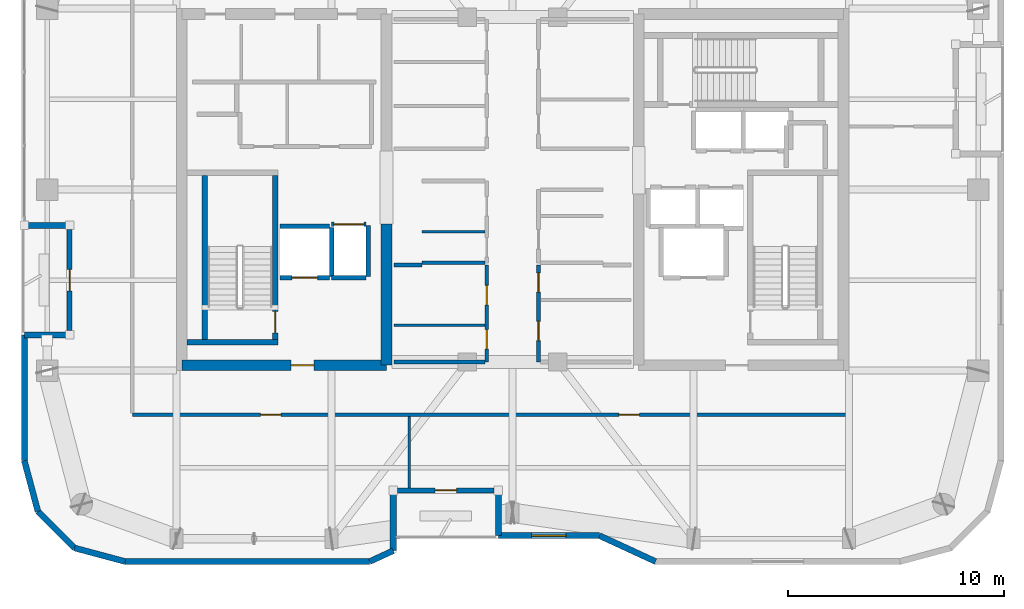
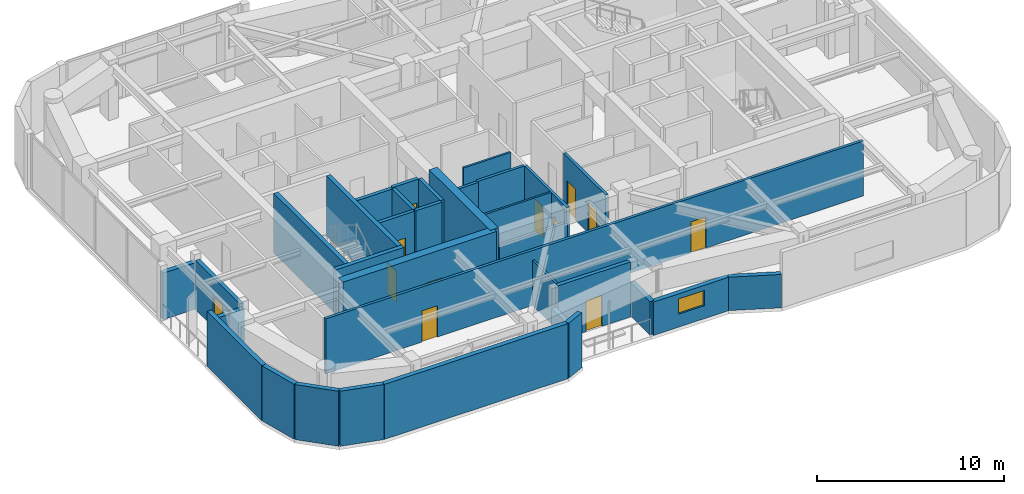
# One storey, part 10 of 15: 34 walls, 12 doors, 1 window, 13 openings.
"""IFC4 building model written with IfcOpenShell, lengths in metres."""

from ifc_helpers import new_model, si_unit, direction, frame, frame_2d, origin, place, context, subcontext, project, spatial, rectangle, extrude, material, layer, layer_set, type_object, element, fill, save


model = new_model("IFC4")

# Units and contexts
model_context = context("Model", 3, precision=1e-05, world=origin(), true_north=direction((0.0, 1.0)))
body_context = subcontext(model_context, "Body", "Model", "MODEL_VIEW")
ifc_project = project(units=[si_unit("LENGTHUNIT", "METRE"), si_unit("AREAUNIT", "SQUARE_METRE"), si_unit("VOLUMEUNIT", "CUBIC_METRE"), si_unit("PLANEANGLEUNIT", "RADIAN"), si_unit("MASSUNIT", "GRAM", prefix="KILO")], contexts=[model_context])

# Site, building, storey
site_placement = place(None, origin())
site = spatial("IfcSite", under=ifc_project, at=site_placement, CompositionType="ELEMENT")
building_placement = place(site_placement, origin())
building = spatial("IfcBuilding", under=site, at=building_placement, Name="Kiyonajd Concourse Tower", CompositionType="ELEMENT")
storey_placement = place(building_placement, frame((0.0, 0.0, 278.39990234375)))
storey = spatial("IfcBuildingStorey", under=building, at=storey_placement, Name="L70", CompositionType="ELEMENT", Elevation=278.39990234375)

# Wall
ifc_material_1 = material(Name="Concrete C60/75", Category="concrete")
ifc_layer_1 = layer(ifc_material_1, 0.5)
ifc_layer_set_1 = layer_set([ifc_layer_1], Name="Concrete C60/75")
wall_type_1 = type_object("IfcWallType", Name="WL-CORE-500", PredefinedType="SHEAR", material=ifc_layer_set_1)
wall_1_placement = place(storey_placement, frame((42.14990234375, 27.85009765625, 0.0), z_axis=(0.0, 0.0, 1.0), x_axis=(0.0, 1.0, 0.0)))
element("IfcWall", 1, at=wall_1_placement, inside=storey, type_object=wall_type_1, Name="L70 West Core Inner South Shear Wall", PredefinedType="SHEAR", context=body_context, shape_type="SweptSolid", body=[
    extrude(rectangle(XDim=6.5498046875, YDim=0.5, at=frame_2d((3.27490234375, 0.0))), origin(), (0.0, 0.0, 1.0), 3.900146484375),
])

# Wall, opening, door
wall_2_placement = place(storey_placement, frame((32.64990234375, 27.85009765625, 0.0), z_axis=(0.0, 0.0, 1.0), x_axis=(1.0, 0.0, 0.0)))
wall_2 = element("IfcWall", 2, at=wall_2_placement, inside=storey, type_object=wall_type_1, Name="L70 West Core South Shear Wall", PredefinedType="SHEAR", context=body_context, shape_type="SweptSolid", body=[
    extrude(rectangle(XDim=9.5, YDim=0.5, at=frame_2d((4.75, 0.0))), origin(), (0.0, 0.0, 1.0), 3.900146484375),
])
opening_1_placement = place(wall_2_placement, frame((5.074951171875, 0.0, 0.0)))
opening_1 = element("IfcOpeningElement", 3, at=opening_1_placement, cuts=wall_2, Name="Opening DF5", PredefinedType="OPENING", context=body_context, shape_type="SweptSolid", body=[
    extrude(rectangle(XDim=1.050048828125, YDim=2.0400390625, at=frame_2d((0.52490234375, 1.02001953125))), frame((0.0, 0.260009765625, 0.0), z_axis=(0.0, -1.0, 0.0), x_axis=(1.0, 0.0, 0.0)), (0.0, 0.0, 1.0), 0.52001953125),
])
ifc_material_2 = material(Name="Brushed Stainless Steel Cab Assembly", Category="steel")
door_type_1 = type_object("IfcDoorType", Name="DR-FD45-1050", OperationType="NOTDEFINED", PredefinedType="DOOR", material=ifc_material_2)
door_1_placement = place(opening_1_placement, origin())
door_1 = element("IfcDoor", 4, at=door_1_placement, inside=storey, type_object=door_type_1, Name="L70 Firefighting Lift Lobby W Smoke Door", OperationType="SINGLE_SWING_LEFT", OverallHeight=2.0400390625, OverallWidth=1.050048828125, PredefinedType="DOOR", context=body_context, shape_type="SweptSolid", body=[
    extrude(rectangle(XDim=1.050048828125, YDim=2.0400390625, at=frame_2d((0.52490234375, 1.02001953125))), frame((0.0, 0.02490234375, 0.0), z_axis=(0.0, -1.0, 0.0), x_axis=(1.0, 0.0, 0.0)), (0.0, 0.0, 1.0), 0.050048828125),
])
fill(opening_1, door_1)

# Walls
ifc_material_3 = material(Name="Precast concrete C50/60", Category="concrete")
ifc_layer_2 = layer(ifc_material_3, 0.280029296875)
ifc_layer_set_2 = layer_set([ifc_layer_2], Name="Precast concrete C50/60")
wall_type_2 = type_object("IfcWallType", Name="WL-EXT-280", PredefinedType="SOLIDWALL", material=ifc_layer_set_2)
wall_3_placement = place(storey_placement, frame((25.968505859375, 21.072509765625, 0.0), z_axis=(0.0, 0.0, 1.0), x_axis=(-0.258751159445, 0.965944013639, 0.0)))
element("IfcWall", 5, at=wall_3_placement, inside=storey, type_object=wall_type_2, Name="L70 Exterior Concrete Frame Wall 00", PredefinedType="SOLIDWALL", context=body_context, shape_type="SweptSolid", body=[
    extrude(rectangle(XDim=2.4287109375, YDim=0.280029296875, at=frame_2d((1.21435546875, 0.0))), origin(), (0.0, 0.0, 1.0), 3.60009765625),
])
wall_4_placement = place(storey_placement, frame((25.340087890625, 23.41845703125, 0.0), z_axis=(0.0, 0.0, 1.0), x_axis=(0.0, 1.0, 0.0)))
element("IfcWall", 6, at=wall_4_placement, inside=storey, type_object=wall_type_2, Name="L70 Exterior Concrete Frame Wall 01", PredefinedType="SOLIDWALL", context=body_context, shape_type="SweptSolid", body=[
    extrude(rectangle(XDim=5.841552734375, YDim=0.280029296875, at=frame_2d((2.9208984375, 0.0))), origin(), (0.0, 0.0, 1.0), 3.60009765625),
])
for number, where, z_axis, x_axis, name in (
    (7, (25.340087890625, 29.260009765625, 0.0), (0.0, 0.0, 1.0), (1.0, 0.0, 0.0), "L70 Exterior Concrete Frame Wall 02"),
    (8, (27.43994140625, 34.340087890625, 0.0), (0.0, 0.0, 1.0), (-1.0, 0.0, 0.0), "L70 Exterior Concrete Frame Wall 04"),
):
    element("IfcWall", number, at=place(storey_placement, frame(where, z_axis=z_axis, x_axis=x_axis)), inside=storey, type_object=wall_type_2, Name=name, PredefinedType="SOLIDWALL", context=body_context, shape_type="SweptSolid", body=[
        extrude(rectangle(XDim=2.099853515625, YDim=0.280029296875, at=frame_2d((1.0498046875, 0.0))), origin(), (0.0, 0.0, 1.0), 3.046142578125),
    ])
wall_5_placement = place(storey_placement, frame((54.630615234375, 18.739990234375, 0.0), z_axis=(0.0, 0.0, 1.0), x_axis=(-0.907956889006, 0.419063584324, 0.0)))
element("IfcWall", 9, at=wall_5_placement, inside=storey, type_object=wall_type_2, Name="L70 Exterior Concrete Frame Wall 29", PredefinedType="SOLIDWALL", context=body_context, shape_type="SweptSolid", body=[
    extrude(rectangle(XDim=2.863525390625, YDim=0.280029296875, at=frame_2d((1.431640625, 0.0))), origin(), (0.0, 0.0, 1.0), 2.18505859375),
])

# Wall, opening, window
wall_6_placement = place(storey_placement, frame((52.03076171875, 19.93994140625, 0.0), z_axis=(0.0, 0.0, 1.0), x_axis=(-1.0, 0.0, 0.0)))
wall_6 = element("IfcWall", 10, at=wall_6_placement, inside=storey, type_object=wall_type_2, Name="L70 Exterior Concrete Frame Wall 30", PredefinedType="SOLIDWALL", context=body_context, shape_type="SweptSolid", body=[
    extrude(rectangle(XDim=4.690673828125, YDim=0.280029296875, at=frame_2d((2.34521484375, 0.0))), origin(), (0.0, 0.0, 1.0), 2.18505859375),
])
opening_2_placement = place(wall_6_placement, frame((1.544921875, 0.0, 0.85009765625)))
opening_2 = element("IfcOpeningElement", 11, at=opening_2_placement, cuts=wall_6, Name="Opening WN6", PredefinedType="OPENING", context=body_context, shape_type="SweptSolid", body=[
    extrude(rectangle(XDim=1.60009765625, YDim=1.0, at=frame_2d((0.800048828125, 0.5))), frame((0.0, 0.14990234375, 0.0), z_axis=(0.0, -1.0, 0.0), x_axis=(1.0, 0.0, 0.0)), (0.0, 0.0, 1.0), 0.300048828125),
])
ifc_material_4 = material(Name="Double Low-E Insulated Glass", Category="glass")
window_type = type_object("IfcWindowType", Name="WN-VIS-1600x1000", PartitioningType="SINGLE_PANEL", PredefinedType="WINDOW", material=ifc_material_4)
window_placement = place(opening_2_placement, origin())
window = element("IfcWindow", 12, at=window_placement, inside=storey, type_object=window_type, Name="L70 Modular Facade Vision Window 30", OverallHeight=1.0, OverallWidth=1.60009765625, PartitioningType="SINGLE_PANEL", PredefinedType="WINDOW", context=body_context, shape_type="SweptSolid", body=[
    extrude(rectangle(XDim=1.60009765625, YDim=1.0, at=frame_2d((0.800048828125, 0.5))), frame((0.0, 0.030029296875, 0.0), z_axis=(0.0, -1.0, 0.0), x_axis=(1.0, 0.0, 0.0)), (0.0, 0.0, 1.0), 0.06005859375),
])
fill(opening_2, window)

# Walls
wall_7_placement = place(storey_placement, frame((47.340087890625, 19.93994140625, 0.0), z_axis=(0.0, 0.0, 1.0), x_axis=(0.0, 1.0, 0.0)))
element("IfcWall", 13, at=wall_7_placement, inside=storey, type_object=wall_type_2, Name="L70 Exterior Concrete Frame Wall 31", PredefinedType="SOLIDWALL", context=body_context, shape_type="SweptSolid", body=[
    extrude(rectangle(XDim=2.10009765625, YDim=0.280029296875, at=frame_2d((1.050048828125, 0.0))), origin(), (0.0, 0.0, 1.0), 2.18505859375),
])
wall_8_placement = place(storey_placement, frame((42.4599609375, 22.0400390625, 0.0), z_axis=(0.0, 0.0, 1.0), x_axis=(0.0, -1.0, 0.0)))
element("IfcWall", 14, at=wall_8_placement, inside=storey, type_object=wall_type_2, Name="L70 Exterior Concrete Frame Wall 33", PredefinedType="SOLIDWALL", context=body_context, shape_type="SweptSolid", body=[
    extrude(rectangle(XDim=2.79638671875, YDim=0.280029296875, at=frame_2d((1.398193359375, 0.0))), origin(), (0.0, 0.0, 1.0), 2.18505859375),
])
wall_9_placement = place(storey_placement, frame((42.4599609375, 19.24365234375, 0.0), z_axis=(0.0, 0.0, 1.0), x_axis=(-0.907893953211, -0.419199916176, 0.0)))
element("IfcWall", 15, at=wall_9_placement, inside=storey, type_object=wall_type_2, Name="L70 Exterior Concrete Frame Wall 34", PredefinedType="SOLIDWALL", context=body_context, shape_type="SweptSolid", body=[
    extrude(rectangle(XDim=1.201416015625, YDim=0.280029296875, at=frame_2d((0.6005859375, 0.0))), origin(), (0.0, 0.0, 1.0), 3.60009765625),
])
wall_10_placement = place(storey_placement, frame((41.369140625, 18.739990234375, 0.0), z_axis=(0.0, 0.0, 1.0), x_axis=(-1.0, 0.0, 0.0)))
element("IfcWall", 16, at=wall_10_placement, inside=storey, type_object=wall_type_2, Name="L70 Exterior Concrete Frame Wall 35", PredefinedType="SOLIDWALL", context=body_context, shape_type="SweptSolid", body=[
    extrude(rectangle(XDim=11.350830078125, YDim=0.280029296875, at=frame_2d((5.67529296875, 0.0))), origin(), (0.0, 0.0, 1.0), 3.60009765625),
])
wall_11_placement = place(storey_placement, frame((30.018310546875, 18.739990234375, 0.0), z_axis=(0.0, 0.0, 1.0), x_axis=(-0.965937282298, 0.25877628691, 0.0)))
element("IfcWall", 17, at=wall_11_placement, inside=storey, type_object=wall_type_2, Name="L70 Exterior Concrete Frame Wall 36", PredefinedType="SOLIDWALL", context=body_context, shape_type="SweptSolid", body=[
    extrude(rectangle(XDim=2.428466796875, YDim=0.280029296875, at=frame_2d((1.21435546875, 0.0))), origin(), (0.0, 0.0, 1.0), 3.60009765625),
])
wall_12_placement = place(storey_placement, frame((27.672607421875, 19.368408203125, 0.0), z_axis=(0.0, 0.0, 1.0), x_axis=(-0.707106781187, 0.707106781187, 0.0)))
element("IfcWall", 18, at=wall_12_placement, inside=storey, type_object=wall_type_2, Name="L70 Exterior Concrete Frame Wall 37", PredefinedType="SOLIDWALL", context=body_context, shape_type="SweptSolid", body=[
    extrude(rectangle(XDim=2.409912109375, YDim=0.280029296875, at=frame_2d((1.205078125, 0.0))), origin(), (0.0, 0.0, 1.0), 3.60009765625),
])

# Wall, opening, door
ifc_layer_3 = layer(ifc_material_3, 0.239990234375)
ifc_layer_set_3 = layer_set([ifc_layer_3], Name="Precast concrete C50/60")
wall_type_3 = type_object("IfcWallType", Name="WL-LOG-240", PredefinedType="SOLIDWALL", material=ifc_layer_set_3)
wall_13_placement = place(storey_placement, frame((27.43994140625, 29.455078125, 0.0), z_axis=(0.0, 0.0, 1.0), x_axis=(0.0, 1.0, 0.0)))
wall_13 = element("IfcWall", 19, at=wall_13_placement, inside=storey, type_object=wall_type_3, Name="L70 Recessed Loggia Thermal Wall LOG-W", PredefinedType="SOLIDWALL", context=body_context, shape_type="SweptSolid", body=[
    extrude(rectangle(XDim=4.68994140625, YDim=0.239990234375, at=frame_2d((2.344970703125, 0.0))), origin(), (0.0, 0.0, 1.0), 3.231201171875),
])
opening_3_placement = place(wall_13_placement, frame((1.844970703125, 0.0, 0.0)))
opening_3 = element("IfcOpeningElement", 20, at=opening_3_placement, cuts=wall_13, Name="Opening DL1", PredefinedType="OPENING", context=body_context, shape_type="SweptSolid", body=[
    extrude(rectangle(XDim=1.0, YDim=2.02001953125, at=frame_2d((0.5, 1.010009765625))), frame((0.0, 0.1298828125, 0.0), z_axis=(0.0, -1.0, 0.0), x_axis=(1.0, 0.0, 0.0)), (0.0, 0.0, 1.0), 0.260009765625),
])
ifc_material_5 = material(Name="Thermally Broken Anodised Aluminium", Category="aluminium")
door_type_2 = type_object("IfcDoorType", Name="DR-LOG-1000", OperationType="NOTDEFINED", PredefinedType="DOOR", material=ifc_material_5)
door_2_placement = place(opening_3_placement, origin())
door_2 = element("IfcDoor", 21, at=door_2_placement, inside=storey, type_object=door_type_2, Name="L70 Engawa Loggia Access Door LOG-W", OperationType="SINGLE_SWING_LEFT", OverallHeight=2.02001953125, OverallWidth=1.0, PredefinedType="DOOR", context=body_context, shape_type="SweptSolid", body=[
    extrude(rectangle(XDim=1.0, YDim=2.02001953125, at=frame_2d((0.5, 1.010009765625))), frame((0.0, 0.02490234375, 0.0), z_axis=(0.0, -1.0, 0.0), x_axis=(1.0, 0.0, 0.0)), (0.0, 0.0, 1.0), 0.050048828125),
])
fill(opening_3, door_2)

wall_14_placement = place(storey_placement, frame((47.14501953125, 22.0400390625, 0.0), z_axis=(0.0, 0.0, 1.0), x_axis=(-1.0, 0.0, 0.0)))
wall_14 = element("IfcWall", 22, at=wall_14_placement, inside=storey, type_object=wall_type_3, Name="L70 Recessed Loggia Thermal Wall LOG-S", PredefinedType="SOLIDWALL", context=body_context, shape_type="SweptSolid", body=[
    extrude(rectangle(XDim=4.489990234375, YDim=0.239990234375, at=frame_2d((2.2451171875, 0.0))), origin(), (0.0, 0.0, 1.0), 3.60009765625),
])
opening_4_placement = place(wall_14_placement, frame((1.7451171875, 0.0, 0.0)))
opening_4 = element("IfcOpeningElement", 23, at=opening_4_placement, cuts=wall_14, Name="Opening DL1", PredefinedType="OPENING", context=body_context, shape_type="SweptSolid", body=[
    extrude(rectangle(XDim=1.0, YDim=2.02001953125, at=frame_2d((0.5, 1.010009765625))), frame((0.0, 0.1298828125, 0.0), z_axis=(0.0, -1.0, 0.0), x_axis=(1.0, 0.0, 0.0)), (0.0, 0.0, 1.0), 0.260009765625),
])
door_3_placement = place(opening_4_placement, origin())
door_3 = element("IfcDoor", 24, at=door_3_placement, inside=storey, type_object=door_type_2, Name="L70 Engawa Loggia Access Door LOG-S", OperationType="SINGLE_SWING_RIGHT", OverallHeight=2.02001953125, OverallWidth=1.0, PredefinedType="DOOR", context=body_context, shape_type="SweptSolid", body=[
    extrude(rectangle(XDim=1.0, YDim=2.02001953125, at=frame_2d((0.5, 1.010009765625))), frame((0.0, 0.02490234375, 0.0), z_axis=(0.0, -1.0, 0.0), x_axis=(1.0, 0.0, 0.0)), (0.0, 0.0, 1.0), 0.050048828125),
])
fill(opening_4, door_3)

# Walls
ifc_material_6 = material(Name="Gypsum Board on Cold-Formed Steel Stud", Category="steel")
ifc_layer_4 = layer(ifc_material_6, 0.125)
ifc_layer_set_4 = layer_set([ifc_layer_4], Name="Gypsum Board on Cold-Formed Steel Stud")
wall_type_4 = type_object("IfcWallType", Name="WL-PART-125", PredefinedType="PARTITIONING", material=ifc_layer_set_4)
wall_15_placement = place(storey_placement, frame((43.800048828125, 34.0439453125, 0.0), z_axis=(0.0, 0.0, 1.0), x_axis=(1.0, 0.0, 0.0)))
element("IfcWall", 25, at=wall_15_placement, inside=storey, type_object=wall_type_4, Name="L70 Interior Partition Wall", PredefinedType="PARTITIONING", context=body_context, shape_type="SweptSolid", body=[
    extrude(rectangle(XDim=2.912841796875, YDim=0.125, at=frame_2d((1.45654296875, 0.0))), origin(), (0.0, 0.0, 1.0), 3.60009765625),
])
wall_16_placement = place(storey_placement, frame((42.5, 29.7099609375, 0.0), z_axis=(0.0, 0.0, 1.0), x_axis=(1.0, 0.0, 0.0)))
element("IfcWall", 26, at=wall_16_placement, inside=storey, type_object=wall_type_4, Name="L70 Interior Partition Wall", PredefinedType="PARTITIONING", context=body_context, shape_type="SweptSolid", body=[
    extrude(rectangle(XDim=4.212890625, YDim=0.125, at=frame_2d((2.1064453125, 0.0))), origin(), (0.0, 0.0, 1.0), 3.60009765625),
])
wall_17_placement = place(storey_placement, frame((43.199951171875, 22.155029296875, 0.0), z_axis=(0.0, 0.0, 1.0), x_axis=(0.0, 1.0, 0.0)))
element("IfcWall", 27, at=wall_17_placement, inside=storey, type_object=wall_type_4, Name="L70 Interior Partition Wall", PredefinedType="PARTITIONING", context=body_context, shape_type="SweptSolid", body=[
    extrude(rectangle(XDim=3.307861328125, YDim=0.125, at=frame_2d((1.65380859375, 0.0))), origin(), (0.0, 0.0, 1.0), 2.963134765625),
])

# Wall, opening, door
ifc_layer_5 = layer(ifc_material_6, 0.2099609375)
ifc_layer_set_5 = layer_set([ifc_layer_5], Name="Gypsum Board on Cold-Formed Steel Stud")
wall_type_5 = type_object("IfcWallType", Name="WL-SHAFT-210", PredefinedType="PARTITIONING", material=ifc_layer_set_5)
wall_18_placement = place(storey_placement, frame((37.199951171875, 31.89990234375, 0.0), z_axis=(0.0, 0.0, 1.0), x_axis=(1.0, 0.0, 0.0)))
wall_18 = element("IfcWall", 28, at=wall_18_placement, inside=storey, type_object=wall_type_5, Name="L70 Shaft Enclosure Wall", PredefinedType="PARTITIONING", context=body_context, shape_type="SweptSolid", body=[
    extrude(rectangle(XDim=2.300048828125, YDim=0.2099609375, at=frame_2d((1.14990234375, 0.0))), origin(), (0.0, 0.0, 1.0), 3.60009765625),
])
opening_5_placement = place(wall_18_placement, frame((0.550048828125, 0.0, 0.0)))
opening_5 = element("IfcOpeningElement", 29, at=opening_5_placement, cuts=wall_18, Name="Opening LD2", PredefinedType="OPENING", context=body_context, shape_type="SweptSolid", body=[
    extrude(rectangle(XDim=1.199951171875, YDim=2.0400390625, at=frame_2d((0.60009765625, 1.02001953125))), frame((0.0, 0.114990234375, 0.0), z_axis=(0.0, -1.0, 0.0), x_axis=(1.0, 0.0, 0.0)), (0.0, 0.0, 1.0), 0.22998046875),
])
door_type_3 = type_object("IfcDoorType", Name="DR-LD-1200", OperationType="DOUBLE_DOOR_SLIDING", PredefinedType="DOOR", material=ifc_material_2)
door_4_placement = place(opening_5_placement, origin())
door_4 = element("IfcDoor", 30, at=door_4_placement, inside=storey, type_object=door_type_3, Name="L70 Lift FFL1 Sliding Landing Door", OperationType="DOUBLE_DOOR_SLIDING", OverallHeight=2.0400390625, OverallWidth=1.199951171875, PredefinedType="DOOR", context=body_context, shape_type="SweptSolid", body=[
    extrude(rectangle(XDim=1.199951171875, YDim=2.0400390625, at=frame_2d((0.60009765625, 1.02001953125))), frame((0.0, 0.02490234375, 0.0), z_axis=(0.0, -1.0, 0.0), x_axis=(1.0, 0.0, 0.0)), (0.0, 0.0, 1.0), 0.050048828125),
])
fill(opening_5, door_4)

# Walls
wall_19_placement = place(storey_placement, frame((37.199951171875, 34.300048828125, 0.0), z_axis=(0.0, 0.0, 1.0), x_axis=(1.0, 0.0, 0.0)))
element("IfcWall", 31, at=wall_19_placement, inside=storey, type_object=wall_type_5, Name="L70 Shaft Enclosure Wall", PredefinedType="PARTITIONING", context=body_context, shape_type="SweptSolid", body=[
    extrude(rectangle(XDim=2.300048828125, YDim=0.2099609375, at=frame_2d((1.14990234375, 0.0))), origin(), (0.0, 0.0, 1.0), 3.60009765625),
])
wall_20_placement = place(storey_placement, frame((39.60009765625, 31.9599609375, 0.0), z_axis=(0.0, 0.0, 1.0), x_axis=(0.0, 1.0, 0.0)))
element("IfcWall", 32, at=wall_20_placement, inside=storey, type_object=wall_type_5, Name="L70 Shaft Enclosure Wall", PredefinedType="PARTITIONING", context=body_context, shape_type="SweptSolid", body=[
    extrude(rectangle(XDim=2.280029296875, YDim=0.2099609375, at=frame_2d((1.14013671875, 0.0))), origin(), (0.0, 0.0, 1.0), 3.60009765625),
])

# Wall, opening, door
wall_21_placement = place(storey_placement, frame((39.60009765625, 34.39990234375, 0.0), z_axis=(0.0, 0.0, 1.0), x_axis=(1.0, 0.0, 0.0)))
wall_21 = element("IfcWall", 33, at=wall_21_placement, inside=storey, type_object=wall_type_5, Name="L70 Shaft Enclosure Wall", PredefinedType="PARTITIONING", context=body_context, shape_type="SweptSolid", body=[
    extrude(rectangle(XDim=1.599853515625, YDim=0.2099609375, at=frame_2d((0.7998046875, 0.0))), origin(), (0.0, 0.0, 1.0), 3.60009765625),
])
opening_6_placement = place(wall_21_placement, frame((0.10009765625, 0.0, 0.0)))
opening_6 = element("IfcOpeningElement", 34, at=opening_6_placement, cuts=wall_21, Name="Opening LD3", PredefinedType="OPENING", context=body_context, shape_type="SweptSolid", body=[
    extrude(rectangle(XDim=1.39990234375, YDim=2.06005859375, at=frame_2d((0.699951171875, 1.030029296875))), frame((0.0, 0.114990234375, 0.0), z_axis=(0.0, -1.0, 0.0), x_axis=(1.0, 0.0, 0.0)), (0.0, 0.0, 1.0), 0.22998046875),
])
door_type_4 = type_object("IfcDoorType", Name="DR-LD-1400", OperationType="DOUBLE_DOOR_SLIDING", PredefinedType="DOOR", material=ifc_material_2)
door_5_placement = place(opening_6_placement, origin())
door_5 = element("IfcDoor", 35, at=door_5_placement, inside=storey, type_object=door_type_4, Name="L70 Lift SVL1 Sliding Landing Door", OperationType="DOUBLE_DOOR_SLIDING", OverallHeight=2.06005859375, OverallWidth=1.39990234375, PredefinedType="DOOR", context=body_context, shape_type="SweptSolid", body=[
    extrude(rectangle(XDim=1.39990234375, YDim=2.06005859375, at=frame_2d((0.699951171875, 1.030029296875))), frame((0.0, 0.02490234375, 0.0), z_axis=(0.0, -1.0, 0.0), x_axis=(1.0, 0.0, 0.0)), (0.0, 0.0, 1.0), 0.050048828125),
])
fill(opening_6, door_5)

# Walls
wall_22_placement = place(storey_placement, frame((39.60009765625, 31.89990234375, 0.0), z_axis=(0.0, 0.0, 1.0), x_axis=(1.0, 0.0, 0.0)))
element("IfcWall", 36, at=wall_22_placement, inside=storey, type_object=wall_type_5, Name="L70 Shaft Enclosure Wall", PredefinedType="PARTITIONING", context=body_context, shape_type="SweptSolid", body=[
    extrude(rectangle(XDim=1.599853515625, YDim=0.2099609375, at=frame_2d((0.7998046875, 0.0))), origin(), (0.0, 0.0, 1.0), 3.60009765625),
])
wall_23_placement = place(storey_placement, frame((41.300048828125, 31.9599609375, 0.0), z_axis=(0.0, 0.0, 1.0), x_axis=(0.0, 1.0, 0.0)))
element("IfcWall", 37, at=wall_23_placement, inside=storey, type_object=wall_type_5, Name="L70 Shaft Enclosure Wall", PredefinedType="PARTITIONING", context=body_context, shape_type="SweptSolid", body=[
    extrude(rectangle(XDim=2.380126953125, YDim=0.2099609375, at=frame_2d((1.18994140625, 0.0))), origin(), (0.0, 0.0, 1.0), 3.60009765625),
])
ifc_layer_6 = layer(ifc_material_6, 0.169921875)
ifc_layer_set_6 = layer_set([ifc_layer_6], Name="Gypsum Board on Cold-Formed Steel Stud")
wall_type_6 = type_object("IfcWallType", Name="WL-SMK-170", PredefinedType="PARTITIONING", material=ifc_layer_set_6)
wall_24_placement = place(storey_placement, frame((43.800048828125, 32.60009765625, 0.0), z_axis=(0.0, 0.0, 1.0), x_axis=(1.0, 0.0, 0.0)))
element("IfcWall", 38, at=wall_24_placement, inside=storey, type_object=wall_type_6, Name="L70 Interior Partition Wall", PredefinedType="PARTITIONING", context=body_context, shape_type="SweptSolid", body=[
    extrude(rectangle(XDim=2.912841796875, YDim=0.169921875, at=frame_2d((1.45654296875, 0.0))), origin(), (0.0, 0.0, 1.0), 3.60009765625),
])

# Wall, openings, doors
wall_25_placement = place(storey_placement, frame((46.800048828125, 28.0, 0.0), z_axis=(0.0, 0.0, 1.0), x_axis=(0.0, 1.0, 0.0)))
wall_25 = element("IfcWall", 39, at=wall_25_placement, inside=storey, type_object=wall_type_6, Name="L70 Interior Partition Wall", PredefinedType="PARTITIONING", context=body_context, shape_type="SweptSolid", body=[
    extrude(rectangle(XDim=4.5, YDim=0.169921875, at=frame_2d((2.25, 0.0))), origin(), (0.0, 0.0, 1.0), 3.60009765625),
])
opening_7_placement = place(wall_25_placement, frame((0.60498046875, 0.0, 0.0)))
opening_7 = element("IfcOpeningElement", 40, at=opening_7_placement, cuts=wall_25, Name="Opening DI2", PredefinedType="OPENING", context=body_context, shape_type="SweptSolid", body=[
    extrude(rectangle(XDim=0.89990234375, YDim=2.02001953125, at=frame_2d((0.449951171875, 1.010009765625))), frame((0.0, 0.094970703125, 0.0), z_axis=(0.0, -1.0, 0.0), x_axis=(1.0, 0.0, 0.0)), (0.0, 0.0, 1.0), 0.18994140625),
])
opening_8_placement = place(wall_25_placement, frame((2.655029296875, 0.0, 0.0)))
opening_8 = element("IfcOpeningElement", 41, at=opening_8_placement, cuts=wall_25, Name="Opening DI2", PredefinedType="OPENING", context=body_context, shape_type="SweptSolid", body=[
    extrude(rectangle(XDim=0.89990234375, YDim=2.02001953125, at=frame_2d((0.449951171875, 1.010009765625))), frame((0.0, 0.094970703125, 0.0), z_axis=(0.0, -1.0, 0.0), x_axis=(1.0, 0.0, 0.0)), (0.0, 0.0, 1.0), 0.18994140625),
])
ifc_material_7 = material(Name="Natural Oak Acoustic Timber Veneer", Category="wood")
door_type_5 = type_object("IfcDoorType", Name="DR-INT-900", OperationType="NOTDEFINED", PredefinedType="DOOR", material=ifc_material_7)
door_6_placement = place(opening_7_placement, origin())
door_6 = element("IfcDoor", 42, at=door_6_placement, inside=storey, type_object=door_type_5, Name="L70 Interior Door", OperationType="SINGLE_SWING_RIGHT", OverallHeight=2.02001953125, OverallWidth=0.89990234375, PredefinedType="DOOR", context=body_context, shape_type="SweptSolid", body=[
    extrude(rectangle(XDim=0.89990234375, YDim=2.02001953125, at=frame_2d((0.449951171875, 1.010009765625))), frame((0.0, 0.02490234375, 0.0), z_axis=(0.0, -1.0, 0.0), x_axis=(1.0, 0.0, 0.0)), (0.0, 0.0, 1.0), 0.050048828125),
])
fill(opening_7, door_6)
door_7_placement = place(opening_8_placement, origin())
door_7 = element("IfcDoor", 43, at=door_7_placement, inside=storey, type_object=door_type_5, Name="L70 Interior Door", OperationType="SINGLE_SWING_LEFT", OverallHeight=2.02001953125, OverallWidth=0.89990234375, PredefinedType="DOOR", context=body_context, shape_type="SweptSolid", body=[
    extrude(rectangle(XDim=0.89990234375, YDim=2.02001953125, at=frame_2d((0.449951171875, 1.010009765625))), frame((0.0, 0.02490234375, 0.0), z_axis=(0.0, -1.0, 0.0), x_axis=(1.0, 0.0, 0.0)), (0.0, 0.0, 1.0), 0.050048828125),
])
fill(opening_8, door_7)

# Walls
wall_26_placement = place(storey_placement, frame((42.5, 28.0, 0.0), z_axis=(0.0, 0.0, 1.0), x_axis=(1.0, 0.0, 0.0)))
element("IfcWall", 44, at=wall_26_placement, inside=storey, type_object=wall_type_6, Name="L70 Interior Partition Wall", PredefinedType="PARTITIONING", context=body_context, shape_type="SweptSolid", body=[
    extrude(rectangle(XDim=4.212890625, YDim=0.169921875, at=frame_2d((2.1064453125, 0.0))), origin(), (0.0, 0.0, 1.0), 2.68505859375),
])
wall_27_placement = place(storey_placement, frame((42.5, 32.5, 0.0), z_axis=(0.0, 0.0, 1.0), x_axis=(1.0, 0.0, 0.0)))
element("IfcWall", 45, at=wall_27_placement, inside=storey, type_object=wall_type_6, Name="L70 Interior Partition Wall", PredefinedType="PARTITIONING", context=body_context, shape_type="SweptSolid", body=[
    extrude(rectangle(XDim=1.300048828125, YDim=0.169921875, at=frame_2d((0.64990234375, 0.0))), origin(), (0.0, 0.0, 1.0), 3.60009765625),
])

# Wall, openings, doors
wall_28_placement = place(storey_placement, frame((49.199951171875, 28.0, 0.0), z_axis=(0.0, 0.0, 1.0), x_axis=(0.0, 1.0, 0.0)))
wall_28 = element("IfcWall", 46, at=wall_28_placement, inside=storey, type_object=wall_type_6, Name="L70 Interior Partition Wall", PredefinedType="PARTITIONING", context=body_context, shape_type="SweptSolid", body=[
    extrude(rectangle(XDim=4.5, YDim=0.169921875, at=frame_2d((2.25, 0.0))), origin(), (0.0, 0.0, 1.0), 3.60009765625),
])
opening_9_placement = place(wall_28_placement, frame((0.989990234375, 0.0, 0.0)))
opening_9 = element("IfcOpeningElement", 47, at=opening_9_placement, cuts=wall_28, Name="Opening DF4", PredefinedType="OPENING", context=body_context, shape_type="SweptSolid", body=[
    extrude(rectangle(XDim=0.89990234375, YDim=2.02001953125, at=frame_2d((0.449951171875, 1.010009765625))), frame((0.0, 0.094970703125, 0.0), z_axis=(0.0, -1.0, 0.0), x_axis=(1.0, 0.0, 0.0)), (0.0, 0.0, 1.0), 0.18994140625),
])
opening_10_placement = place(wall_28_placement, frame((3.239990234375, 0.0, 0.0)))
opening_10 = element("IfcOpeningElement", 48, at=opening_10_placement, cuts=wall_28, Name="Opening DF4", PredefinedType="OPENING", context=body_context, shape_type="SweptSolid", body=[
    extrude(rectangle(XDim=0.89990234375, YDim=2.02001953125, at=frame_2d((0.449951171875, 1.010009765625))), frame((0.0, 0.094970703125, 0.0), z_axis=(0.0, -1.0, 0.0), x_axis=(1.0, 0.0, 0.0)), (0.0, 0.0, 1.0), 0.18994140625),
])
door_type_6 = type_object("IfcDoorType", Name="DR-FD60-900", OperationType="NOTDEFINED", PredefinedType="DOOR", material=ifc_material_2)
door_8_placement = place(opening_9_placement, origin())
door_8 = element("IfcDoor", 49, at=door_8_placement, inside=storey, type_object=door_type_6, Name="L70 Interior Door", OperationType="SINGLE_SWING_RIGHT", OverallHeight=2.02001953125, OverallWidth=0.89990234375, PredefinedType="DOOR", context=body_context, shape_type="SweptSolid", body=[
    extrude(rectangle(XDim=0.89990234375, YDim=2.02001953125, at=frame_2d((0.449951171875, 1.010009765625))), frame((0.0, 0.02490234375, 0.0), z_axis=(0.0, -1.0, 0.0), x_axis=(1.0, 0.0, 0.0)), (0.0, 0.0, 1.0), 0.050048828125),
])
fill(opening_9, door_8)
door_9_placement = place(opening_10_placement, origin())
door_9 = element("IfcDoor", 50, at=door_9_placement, inside=storey, type_object=door_type_6, Name="L70 Interior Door", OperationType="SINGLE_SWING_LEFT", OverallHeight=2.02001953125, OverallWidth=0.89990234375, PredefinedType="DOOR", context=body_context, shape_type="SweptSolid", body=[
    extrude(rectangle(XDim=0.89990234375, YDim=2.02001953125, at=frame_2d((0.449951171875, 1.010009765625))), frame((0.0, 0.02490234375, 0.0), z_axis=(0.0, -1.0, 0.0), x_axis=(1.0, 0.0, 0.0)), (0.0, 0.0, 1.0), 0.050048828125),
])
fill(opening_10, door_9)

wall_29_placement = place(storey_placement, frame((30.35009765625, 25.550048828125, 0.0), z_axis=(0.0, 0.0, 1.0), x_axis=(1.0, 0.0, 0.0)))
wall_29 = element("IfcWall", 51, at=wall_29_placement, inside=storey, type_object=wall_type_6, Name="L70 Interior Partition Wall", PredefinedType="PARTITIONING", context=body_context, shape_type="SweptSolid", body=[
    extrude(rectangle(XDim=33.25, YDim=0.169921875, at=frame_2d((16.625, 0.0))), origin(), (0.0, 0.0, 1.0), 3.60009765625),
])
opening_11_placement = place(wall_29_placement, frame((5.949951171875, 0.0, 0.0)))
opening_11 = element("IfcOpeningElement", 52, at=opening_11_placement, cuts=wall_29, Name="Opening DI1", PredefinedType="OPENING", context=body_context, shape_type="SweptSolid", body=[
    extrude(rectangle(XDim=0.949951171875, YDim=2.0400390625, at=frame_2d((0.47509765625, 1.02001953125))), frame((0.0, 0.094970703125, 0.0), z_axis=(0.0, -1.0, 0.0), x_axis=(1.0, 0.0, 0.0)), (0.0, 0.0, 1.0), 0.18994140625),
])
opening_12_placement = place(wall_29_placement, frame((22.574951171875, 0.0, 0.0)))
opening_12 = element("IfcOpeningElement", 53, at=opening_12_placement, cuts=wall_29, Name="Opening DI1", PredefinedType="OPENING", context=body_context, shape_type="SweptSolid", body=[
    extrude(rectangle(XDim=0.949951171875, YDim=2.0400390625, at=frame_2d((0.47509765625, 1.02001953125))), frame((0.0, 0.094970703125, 0.0), z_axis=(0.0, -1.0, 0.0), x_axis=(1.0, 0.0, 0.0)), (0.0, 0.0, 1.0), 0.18994140625),
])
door_type_7 = type_object("IfcDoorType", Name="DR-INT-950", OperationType="NOTDEFINED", PredefinedType="DOOR", material=ifc_material_7)
door_10_placement = place(opening_11_placement, origin())
door_10 = element("IfcDoor", 54, at=door_10_placement, inside=storey, type_object=door_type_7, Name="L70 Interior Door", OperationType="SINGLE_SWING_LEFT", OverallHeight=2.0400390625, OverallWidth=0.949951171875, PredefinedType="DOOR", context=body_context, shape_type="SweptSolid", body=[
    extrude(rectangle(XDim=0.949951171875, YDim=2.0400390625, at=frame_2d((0.47509765625, 1.02001953125))), frame((0.0, 0.02490234375, 0.0), z_axis=(0.0, -1.0, 0.0), x_axis=(1.0, 0.0, 0.0)), (0.0, 0.0, 1.0), 0.050048828125),
])
fill(opening_11, door_10)
door_11_placement = place(opening_12_placement, origin())
door_11 = element("IfcDoor", 55, at=door_11_placement, inside=storey, type_object=door_type_7, Name="L70 Interior Door", OperationType="SINGLE_SWING_RIGHT", OverallHeight=2.0400390625, OverallWidth=0.949951171875, PredefinedType="DOOR", context=body_context, shape_type="SweptSolid", body=[
    extrude(rectangle(XDim=0.949951171875, YDim=2.0400390625, at=frame_2d((0.47509765625, 1.02001953125))), frame((0.0, 0.02490234375, 0.0), z_axis=(0.0, -1.0, 0.0), x_axis=(1.0, 0.0, 0.0)), (0.0, 0.0, 1.0), 0.050048828125),
])
fill(opening_12, door_11)

# Walls
ifc_material_8 = material(Name="Concrete C50/60", Category="concrete")
ifc_layer_7 = layer(ifc_material_8, 0.260009765625)
ifc_layer_set_7 = layer_set([ifc_layer_7], Name="Concrete C50/60")
wall_type_7 = type_object("IfcWallType", Name="WL-STAIR-260", PredefinedType="SHEAR", material=ifc_layer_set_7)
wall_30_placement = place(storey_placement, frame((32.89990234375, 28.919921875, 0.0), z_axis=(0.0, 0.0, 1.0), x_axis=(1.0, 0.0, 0.0)))
element("IfcWall", 56, at=wall_30_placement, inside=storey, type_object=wall_type_7, Name="L70 Stair ST1 Structural South Wall", PredefinedType="SHEAR", context=body_context, shape_type="SweptSolid", body=[
    extrude(rectangle(XDim=4.210205078125, YDim=0.260009765625, at=frame_2d((2.10498046875, 0.0))), origin(), (0.0, 0.0, 1.0), 3.900146484375),
])
wall_31_placement = place(storey_placement, frame((33.719970703125, 29.050048828125, 0.0), z_axis=(0.0, 0.0, 1.0), x_axis=(0.0, 1.0, 0.0)))
element("IfcWall", 57, at=wall_31_placement, inside=storey, type_object=wall_type_7, Name="L70 Stair ST1 Structural West Wall", PredefinedType="SHEAR", context=body_context, shape_type="SweptSolid", body=[
    extrude(rectangle(XDim=7.599853515625, YDim=0.260009765625, at=frame_2d((3.7998046875, 0.0))), origin(), (0.0, 0.0, 1.0), 3.900146484375),
])

# Wall, opening, door
wall_32_placement = place(storey_placement, frame((36.97998046875, 29.050048828125, 0.0), z_axis=(0.0, 0.0, 1.0), x_axis=(0.0, 1.0, 0.0)))
wall_32 = element("IfcWall", 58, at=wall_32_placement, inside=storey, type_object=wall_type_7, Name="L70 Stair ST1 Structural East Wall", PredefinedType="SHEAR", context=body_context, shape_type="SweptSolid", body=[
    extrude(rectangle(XDim=7.599853515625, YDim=0.260009765625, at=frame_2d((3.7998046875, 0.0))), origin(), (0.0, 0.0, 1.0), 3.900146484375),
])
opening_13_placement = place(wall_32_placement, frame((0.300048828125, 0.0, 0.0)))
opening_13 = element("IfcOpeningElement", 59, at=opening_13_placement, cuts=wall_32, Name="Opening DF1", PredefinedType="OPENING", context=body_context, shape_type="SweptSolid", body=[
    extrude(rectangle(XDim=1.0, YDim=2.0400390625, at=frame_2d((0.5, 1.02001953125))), frame((0.0, 0.139892578125, 0.0), z_axis=(0.0, -1.0, 0.0), x_axis=(1.0, 0.0, 0.0)), (0.0, 0.0, 1.0), 0.280029296875),
])
door_type_8 = type_object("IfcDoorType", Name="DR-FD90-1000", OperationType="NOTDEFINED", PredefinedType="DOOR", material=ifc_material_2)
door_12_placement = place(opening_13_placement, origin())
door_12 = element("IfcDoor", 60, at=door_12_placement, inside=storey, type_object=door_type_8, Name="L70 Stair ST1 FSAE Door", OperationType="SINGLE_SWING_LEFT", OverallHeight=2.0400390625, OverallWidth=1.0, PredefinedType="DOOR", context=body_context, shape_type="SweptSolid", body=[
    extrude(rectangle(XDim=1.0, YDim=2.0400390625, at=frame_2d((0.5, 1.02001953125))), frame((0.0, 0.02490234375, 0.0), z_axis=(0.0, -1.0, 0.0), x_axis=(1.0, 0.0, 0.0)), (0.0, 0.0, 1.0), 0.050048828125),
])
fill(opening_13, door_12)

save(model, "model.ifc")
